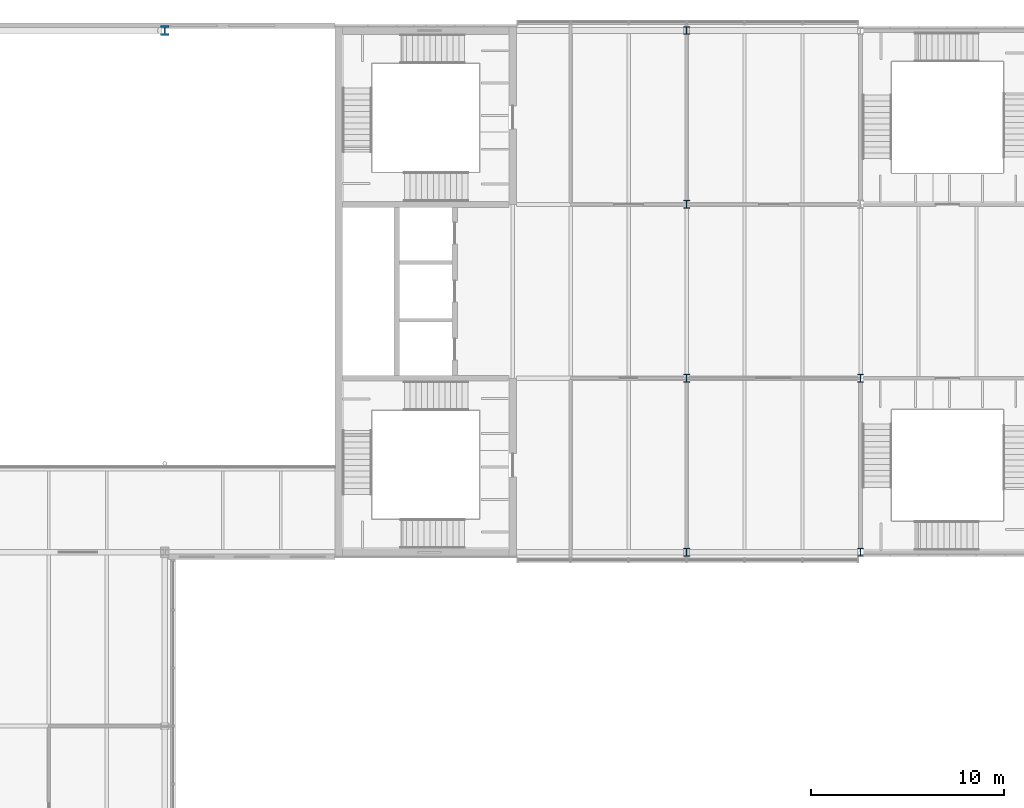
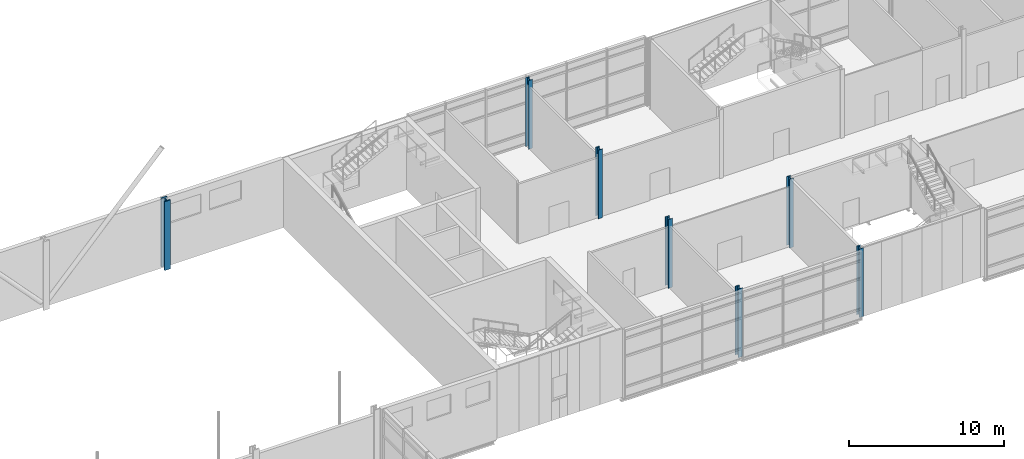
# One storey, part 6 of 56: 7 columns.
"""IFC4 building model written with IfcOpenShell, lengths in metres."""

from ifc_helpers import new_model, si_unit, direction, frame, origin, origin_2d, place, context, subcontext, project, spatial, i_section, extrude, material, material_profile, profile_set, type_object, element, save


model = new_model("IFC4")

# Units and contexts
model_context = context("Model", 3, precision=1e-05, world=origin(), true_north=direction((0.0, 1.0)))
body_context = subcontext(model_context, "Body", "Model", "MODEL_VIEW")
ifc_project = project(units=[si_unit("LENGTHUNIT", "METRE"), si_unit("AREAUNIT", "SQUARE_METRE"), si_unit("VOLUMEUNIT", "CUBIC_METRE"), si_unit("PLANEANGLEUNIT", "RADIAN"), si_unit("MASSUNIT", "GRAM", prefix="KILO")], contexts=[model_context])

# Site, building, storey
site_placement = place(None, origin())
site = spatial("IfcSite", under=ifc_project, at=site_placement, CompositionType="ELEMENT")
building_placement = place(site_placement, origin())
building = spatial("IfcBuilding", under=site, at=building_placement, Name="Azimuth Sports and Learning Centre", CompositionType="ELEMENT")
storey_placement = place(building_placement, frame((0.0, 0.0, 5.39990234375)))
storey = spatial("IfcBuildingStorey", under=building, at=storey_placement, Name="L01", CompositionType="ELEMENT", Elevation=5.39990234375)

# Columns
ifc_material_1 = material(Name="Steel S460", Category="steel")
ifc_material_profile_1 = material_profile(ifc_material_1, i_section(OverallWidth=0.44189453125, OverallDepth=0.531005859375, WebThickness=0.06591796875, FlangeThickness=0.10595703125, FilletRadius=0.014892578125, at=origin_2d()), Name="HD 400x900")
ifc_profile_set_1 = profile_set([ifc_material_profile_1], Name="Steel S460")
column_type_1 = type_object("IfcColumnType", Name="Column HD 400x900", PredefinedType="COLUMN", material=ifc_profile_set_1)
column_placement = place(storey_placement, frame((99.0, 117.0, 0.0), z_axis=(0.0, 0.0, 1.0), x_axis=(1.0, 0.0, 0.0)))
element("IfcColumn", 1, at=column_placement, inside=storey, type_object=column_type_1, Name="Column 12P L01", PredefinedType="COLUMN", context=body_context, shape_type="SweptSolid", body=[
    extrude(i_section(OverallWidth=0.44189453125, OverallDepth=0.531005859375, WebThickness=0.06591796875, FlangeThickness=0.10595703125, FilletRadius=0.014892578125, at=origin_2d()), origin(), (0.0, 0.0, 1.0), 5.400146484375),
])
ifc_material_2 = material(Name="Steel S355", Category="steel")
ifc_material_profile_2 = material_profile(ifc_material_2, i_section(OverallWidth=0.300048828125, OverallDepth=0.39990234375, WebThickness=0.013427734375, FlangeThickness=0.02392578125, FilletRadius=0.027099609375, at=origin_2d()), Name="HEB 400")
ifc_profile_set_2 = profile_set([ifc_material_profile_2], Name="Steel S355")
column_type_2 = type_object("IfcColumnType", Name="Column HEB 400", PredefinedType="COLUMN", material=ifc_profile_set_2)
for number, where, z_axis, x_axis, name in (
    (2, (126.0, 90.0, 0.0), (0.0, 0.0, 1.0), (1.0, 0.0, 0.0), "Column 15L L01"),
    (3, (135.0, 90.0, 0.0), (0.0, 0.0, 1.0), (1.0, 0.0, 0.0), "Column 16L L01"),
    (4, (126.0, 99.0, 0.0), (0.0, 0.0, 1.0), (1.0, 0.0, 0.0), "Column 15M L01"),
    (5, (135.0, 99.0, 0.0), (0.0, 0.0, 1.0), (1.0, 0.0, 0.0), "Column 16M L01"),
    (6, (126.0, 108.0, 0.0), (0.0, 0.0, 1.0), (1.0, 0.0, 0.0), "Column 15N L01"),
    (7, (126.0, 117.0, 0.0), (0.0, 0.0, 1.0), (1.0, 0.0, 0.0), "Column 15P L01"),
):
    element("IfcColumn", number, at=place(storey_placement, frame(where, z_axis=z_axis, x_axis=x_axis)), inside=storey, type_object=column_type_2, Name=name, PredefinedType="COLUMN", context=body_context, shape_type="SweptSolid", body=[
        extrude(i_section(OverallWidth=0.300048828125, OverallDepth=0.39990234375, WebThickness=0.013427734375, FlangeThickness=0.02392578125, FilletRadius=0.027099609375, at=origin_2d()), origin(), (0.0, 0.0, 1.0), 5.400146484375),
    ])

save(model, "model.ifc")
